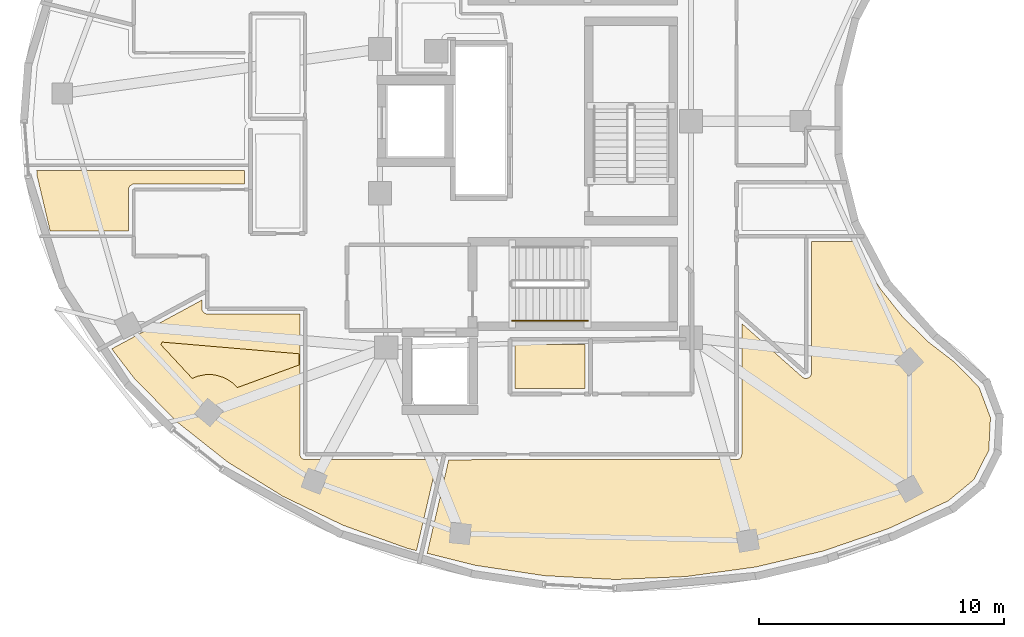
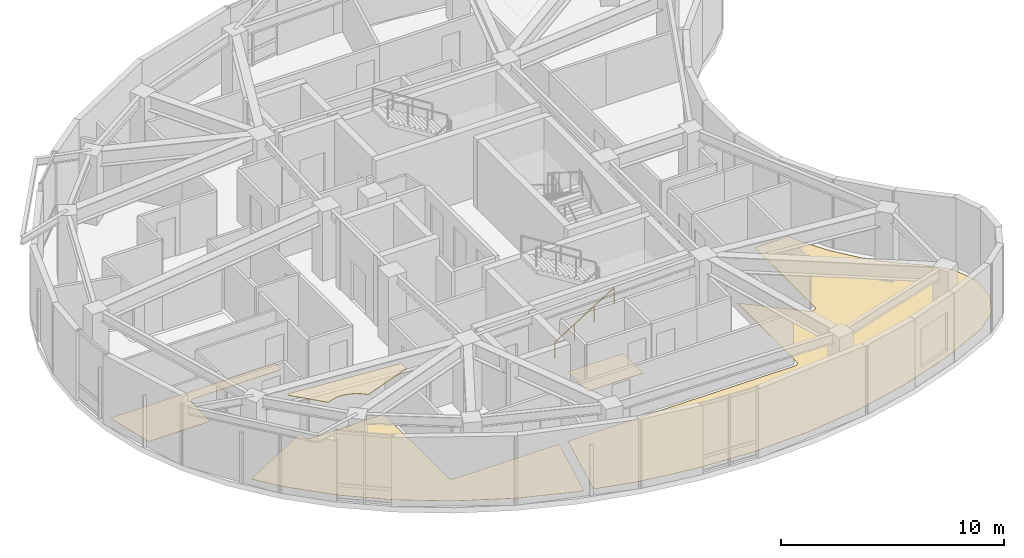
# One storey, part 10 of 12: 5 coverings, 1 railing.
"""IFC4 building model written with IfcOpenShell, lengths in metres."""

from ifc_helpers import new_model, si_unit, direction, frame, origin, origin_2d, place, context, subcontext, project, spatial, polyline, rectangle, outline, extrude, material, layer, layer_set, type_object, element, save


model = new_model("IFC4")

# Units and contexts
model_context = context("Model", 3, precision=1e-05, world=origin(), true_north=direction((0.0, 1.0)))
body_context = subcontext(model_context, "Body", "Model", "MODEL_VIEW")
ifc_project = project(units=[si_unit("LENGTHUNIT", "METRE"), si_unit("AREAUNIT", "SQUARE_METRE"), si_unit("VOLUMEUNIT", "CUBIC_METRE"), si_unit("PLANEANGLEUNIT", "RADIAN"), si_unit("MASSUNIT", "GRAM", prefix="KILO")], contexts=[model_context])

# Site, building, storey
site_placement = place(None, origin())
site = spatial("IfcSite", under=ifc_project, at=site_placement, CompositionType="ELEMENT")
building_placement = place(site_placement, origin())
building = spatial("IfcBuilding", under=site, at=building_placement, Name="Korentha Bioscience Tower", CompositionType="ELEMENT")
storey_placement = place(building_placement, frame((0.0, 0.0, 282.60009765625)))
storey = spatial("IfcBuildingStorey", under=building, at=storey_placement, Name="L65", CompositionType="ELEMENT", Elevation=282.60009765625)

# Railing
ifc_material_1 = material(Name="Stainless Steel 304", Category="steel")
railing_type = type_object("IfcRailingType", Name="Brushed Stainless Stair Handrail 900", PredefinedType="HANDRAIL", material=ifc_material_1)
railing_placement = place(storey_placement, frame((30.25, 18.85009765625, 0.1748046875)))
element("IfcRailing", 1, at=railing_placement, inside=storey, type_object=railing_type, Name="L65 ST-2 stair handrail 1", PredefinedType="HANDRAIL", context=body_context, shape_type="SweptSolid", body=[
    extrude(rectangle(XDim=0.048095703125, YDim=0.048095703125, at=origin_2d()), frame((0.0, 0.0, 0.8759765625), z_axis=(0.847998304005, 0.0, 0.529998940003), x_axis=(0.0, 1.0, 0.0)), (0.0, 0.0, 1.0), 3.632080078125),
    extrude(rectangle(XDim=0.0419921875, YDim=0.0419921875, at=origin_2d()), origin(), (0.0, 0.0, 1.0), 0.851806640625),
    extrude(rectangle(XDim=0.0419921875, YDim=0.0419921875, at=origin_2d()), frame((1.026611328125, 0.0, 0.6416015625)), (0.0, 0.0, 1.0), 0.851806640625),
    extrude(rectangle(XDim=0.0419921875, YDim=0.0419921875, at=origin_2d()), frame((2.053466796875, 0.0, 1.283447265625)), (0.0, 0.0, 1.0), 0.851806640625),
    extrude(rectangle(XDim=0.0419921875, YDim=0.0419921875, at=origin_2d()), frame((3.080078125, 0.0, 1.925048828125)), (0.0, 0.0, 1.0), 0.851806640625),
])

# Coverings
ifc_material_2 = material(Name="Antimicrobial Mineral Fibre Board", Category="gypsum")
ifc_layer_1 = layer(ifc_material_2, 0.034912109375, Name="Antimicrobial Mineral Fibre Board")
ifc_layer_set_1 = layer_set([ifc_layer_1], Name="Antimicrobial Mineral Fibre Board (CL-MF35)")
covering_type_1 = type_object("IfcCoveringType", Name="Mineral-Fibre Cleanroom Suspended Ceiling 35", PredefinedType="CEILING", material=ifc_layer_set_1)
covering_1_placement = place(storey_placement, frame((0.0, 0.0, 3.7548828125)))
element("IfcCovering", 2, at=covering_1_placement, inside=storey, type_object=covering_type_1, Name="L65 Staff Pantry Kitchenette 03 Acoustic Ceiling", PredefinedType="CEILING", context=body_context, shape_type="SweptSolid", body=[
    extrude(outline(polyline([(19.021728515625, 16.116943359375), (18.83837890625, 16.297119140625), (18.585693359375, 16.466064453125), (18.4482421875, 16.531005859375), (18.157470703125, 16.619140625), (18.0068359375, 16.6416015625), (17.703125, 16.6416015625), (17.405029296875, 16.582275390625), (17.17578125, 16.490478515625), (15.894775390625, 17.869384765625), (15.949951171875, 17.97314453125), (21.5400390625, 17.49658203125), (21.5400390625, 17.038330078125), (19.021728515625, 16.116943359375)])), origin(), (0.0, 0.0, 1.0), 0.034912109375),
])
ifc_material_3 = material(Name="Chemical-Resistant Epoxy Resin", Category="polymer")
ifc_layer_2 = layer(ifc_material_3, 0.011962890625, Name="Chemical-Resistant Epoxy Resin")
ifc_layer_set_2 = layer_set([ifc_layer_2], Name="Chemical-Resistant Epoxy Resin (FL-EPX)")
covering_type_2 = type_object("IfcCoveringType", Name="Seamless Epoxy Laboratory Flooring 12", PredefinedType="FLOORING", material=ifc_layer_set_2)
covering_2_placement = place(storey_placement, origin())
element("IfcCovering", 3, at=covering_2_placement, inside=storey, type_object=covering_type_2, Name="L65 Core Instrumentation and Gas Store Floor Finish", PredefinedType="FLOORING", context=body_context, shape_type="SweptSolid", body=[
    extrude(outline(polyline([(30.3701171875, 16.080078125), (30.3701171875, 17.8701171875), (33.22998046875, 17.8701171875), (33.22998046875, 16.080078125), (30.3701171875, 16.080078125)])), origin(), (0.0, 0.0, 1.0), 0.011962890625),
])
covering_3_placement = place(storey_placement, origin())
element("IfcCovering", 4, at=covering_3_placement, inside=storey, type_object=covering_type_2, Name="L65 Principal Investigator Office 01 Floor Finish", PredefinedType="FLOORING", context=body_context, shape_type="SweptSolid", body=[
    extrude(outline(polyline([(10.824462890625, 24.97802734375), (19.320068359375, 24.97802734375), (19.320068359375, 24.429931640625), (14.74462890625, 24.423095703125), (14.62939453125, 24.35400390625), (14.591796875, 24.2978515625), (14.5703125, 24.2119140625), (14.570068359375, 22.52197265625), (11.3701171875, 22.52197265625), (10.84033203125, 24.7705078125), (10.824462890625, 24.97802734375)])), origin(), (0.0, 0.0, 1.0), 0.011962890625),
])
covering_4_placement = place(storey_placement, origin())
element("IfcCovering", 5, at=covering_4_placement, inside=storey, type_object=covering_type_2, Name="L65 Staff Pantry Kitchenette 03 Floor Finish", PredefinedType="FLOORING", context=body_context, shape_type="SweptSolid", body=[
    extrude(outline(polyline([(20.884033203125, 11.6708984375), (18.624267578125, 13.074462890625), (16.598876953125, 14.677734375), (14.83642578125, 16.456787109375), (13.88818359375, 17.6962890625), (17.570068359375, 19.68701171875), (17.583251953125, 19.27294921875), (17.66259765625, 19.16552734375), (17.7666015625, 19.122314453125), (21.570068359375, 19.1201171875), (21.570068359375, 13.39990234375), (21.58349609375, 13.322021484375), (21.6298828125, 13.2451171875), (21.7021484375, 13.19189453125), (21.800048828125, 13.169921875), (27.19482421875, 13.169921875), (26.3369140625, 9.45458984375), (25.97314453125, 9.54541015625), (23.345703125, 10.488525390625), (20.884033203125, 11.6708984375)])), origin(), (0.0, 0.0, 1.0), 0.011962890625),
])
covering_5_placement = place(storey_placement, origin())
element("IfcCovering", 6, at=covering_5_placement, inside=storey, type_object=covering_type_2, Name="L65 Staff Kitchenette and Dining Nook 05 Floor Finish", PredefinedType="FLOORING", context=body_context, shape_type="SweptSolid", body=[
    extrude(outline(polyline([(27.656005859375, 13.167724609375), (39.39990234375, 13.169921875), (39.518798828125, 13.202880859375), (39.597412109375, 13.2822265625), (39.6298828125, 13.39990234375), (39.6298828125, 18.728271484375), (42.1083984375, 16.535888671875), (42.208984375, 16.490478515625), (42.319091796875, 16.498779296875), (42.412109375, 16.55859375), (42.45849609375, 16.634521484375), (42.471923828125, 16.711181640625), (42.471923828125, 22.077880859375), (44.211181640625, 22.077880859375), (44.536376953125, 21.371826171875), (45.27294921875, 20.169189453125), (46.1806640625, 19.022705078125), (47.22412109375, 17.993408203125), (48.33984375, 17.13427734375), (49.316162109375, 16.130126953125), (49.783935546875, 14.884033203125), (49.71337890625, 13.554931640625), (49.1162109375, 12.365478515625), (48.061279296875, 11.489013671875), (45.612060546875, 10.35302734375), (42.9658203125, 9.442138671875), (40.197509765625, 8.78662109375), (37.347412109375, 8.39599609375), (34.457275390625, 8.277099609375), (31.5703125, 8.431396484375), (28.728271484375, 8.856201171875), (26.773681640625, 9.34521484375), (27.656005859375, 13.167724609375)])), origin(), (0.0, 0.0, 1.0), 0.011962890625),
])

save(model, "model.ifc")
